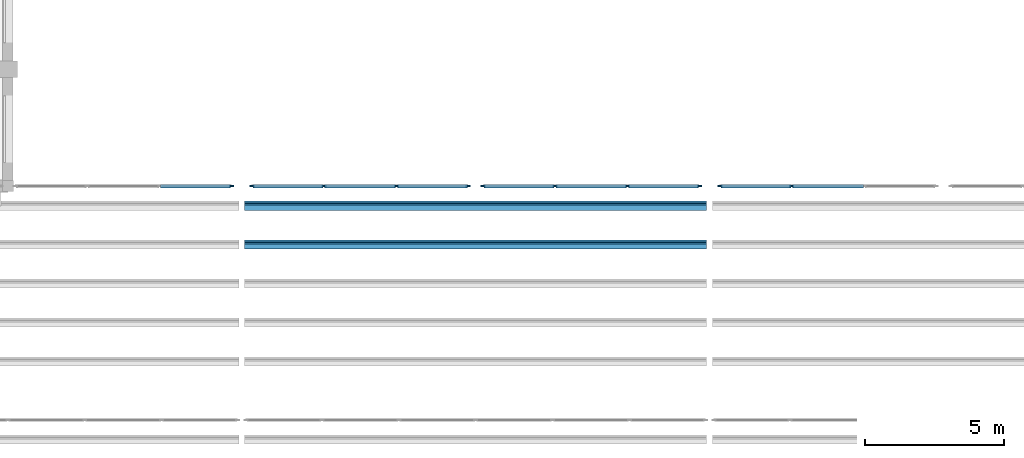
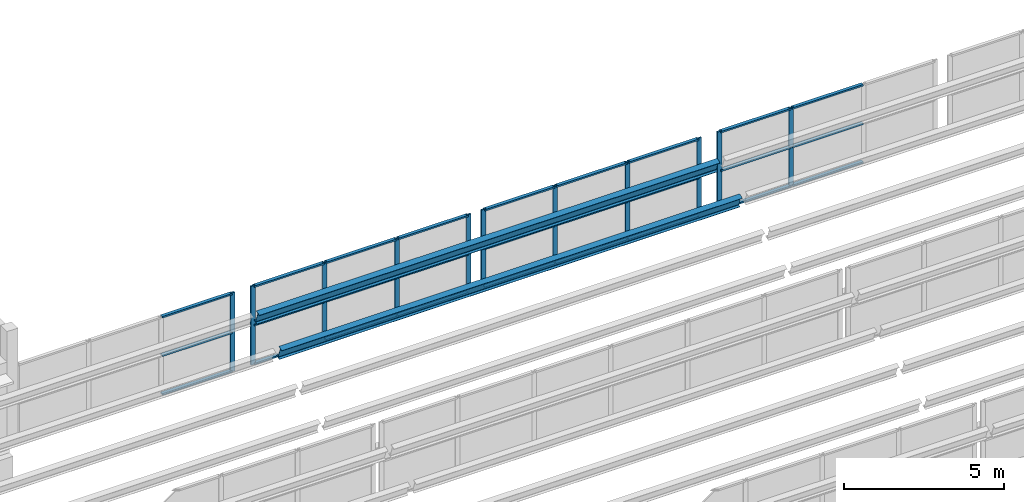
# One storey, part 16 of 116: 40 members, 4 elements without a shape of their own.
"""IFC4 building model written with IfcOpenShell, lengths in metres."""

from ifc_helpers import new_model, si_unit, direction, frame, origin, origin_2d, place, context, subcontext, project, spatial, rectangle, i_section, extrude, material, material_profile, profile_set, type_object, element, aggregate, save


model = new_model("IFC4")

# Units and contexts
model_context = context("Model", 3, precision=1e-05, world=origin(), true_north=direction((0.0, 1.0)))
body_context = subcontext(model_context, "Body", "Model", "MODEL_VIEW")
ifc_project = project(units=[si_unit("LENGTHUNIT", "METRE"), si_unit("AREAUNIT", "SQUARE_METRE"), si_unit("VOLUMEUNIT", "CUBIC_METRE"), si_unit("PLANEANGLEUNIT", "RADIAN"), si_unit("MASSUNIT", "GRAM", prefix="KILO")], contexts=[model_context])

# Site, building, storey
site_placement = place(None, origin())
site = spatial("IfcSite", under=ifc_project, at=site_placement, CompositionType="ELEMENT")
building_placement = place(site_placement, origin())
building = spatial("IfcBuilding", under=site, at=building_placement, Name="Fescue Hill Polytechnic", CompositionType="ELEMENT")
storey_placement = place(building_placement, frame((0.0, 0.0, 13.5)))
storey = spatial("IfcBuildingStorey", under=building, at=storey_placement, Name="L03", CompositionType="ELEMENT", Elevation=13.5)

# Curtain wall, member
ifc_material_1 = material(Name="Aluminium and glass", Category="aluminium")
curtain_wall_type = type_object("IfcCurtainWallType", Name="Sawtooth north glazing curtain wall", PredefinedType="NOTDEFINED", material=ifc_material_1)
curtain_wall_1_placement = place(storey_placement, origin())
curtain_wall_1 = element("IfcCurtainWall", 1, at=curtain_wall_1_placement, inside=storey, type_object=curtain_wall_type, Name="Sawtooth 4 north glazing bay 2 part 2", PredefinedType="NOTDEFINED")
ifc_material_2 = material(Name="Aluminium", Category="aluminium")
ifc_material_profile_1 = material_profile(ifc_material_2, rectangle(XDim=0.06005859375, YDim=0.159912109375, at=origin_2d()), Name="Curtain wall mullion 60x160")
ifc_profile_set_1 = profile_set([ifc_material_profile_1], Name="Aluminium")
member_type_1 = type_object("IfcMemberType", Name="Curtain wall mullion 60x160", PredefinedType="MULLION", material=ifc_profile_set_1)
member_1_placement = place(storey_placement, frame((33.22998046875, 50.39990234375, 0.0), z_axis=(0.0, 0.0, 1.0), x_axis=(0.0, 1.0, 0.0)))
member_1 = element("IfcMember", 2, at=member_1_placement, type_object=member_type_1, Name="CW25 mullion 4", PredefinedType="MULLION", context=body_context, shape_type="SweptSolid", body=[
    extrude(rectangle(XDim=0.06005859375, YDim=0.159912109375, at=origin_2d()), origin(), (0.0, 0.0, 1.0), 3.0),
])

# Curtain wall, members
curtain_wall_2_placement = place(storey_placement, origin())
curtain_wall_2 = element("IfcCurtainWall", 3, at=curtain_wall_2_placement, inside=storey, type_object=curtain_wall_type, Name="Sawtooth 4 north glazing bay 3 part 1", PredefinedType="NOTDEFINED")
member_2_placement = place(storey_placement, frame((33.969970703125, 50.39990234375, 0.0), z_axis=(0.0, 0.0, 1.0), x_axis=(0.0, 1.0, 0.0)))
member_2 = element("IfcMember", 4, at=member_2_placement, type_object=member_type_1, Name="CW26 mullion 1", PredefinedType="MULLION", context=body_context, shape_type="SweptSolid", body=[
    extrude(rectangle(XDim=0.06005859375, YDim=0.159912109375, at=origin_2d()), origin(), (0.0, 0.0, 1.0), 3.0),
])
member_3_placement = place(storey_placement, frame((36.546630859375, 50.39990234375, 0.0), z_axis=(0.0, 0.0, 1.0), x_axis=(0.0, 1.0, 0.0)))
member_3 = element("IfcMember", 5, at=member_3_placement, type_object=member_type_1, Name="CW26 mullion 2", PredefinedType="MULLION", context=body_context, shape_type="SweptSolid", body=[
    extrude(rectangle(XDim=0.06005859375, YDim=0.159912109375, at=origin_2d()), origin(), (0.0, 0.0, 1.0), 3.0),
])
member_4_placement = place(storey_placement, frame((39.1533203125, 50.39990234375, 0.0), z_axis=(0.0, 0.0, 1.0), x_axis=(0.0, 1.0, 0.0)))
member_4 = element("IfcMember", 6, at=member_4_placement, type_object=member_type_1, Name="CW26 mullion 3", PredefinedType="MULLION", context=body_context, shape_type="SweptSolid", body=[
    extrude(rectangle(XDim=0.06005859375, YDim=0.159912109375, at=origin_2d()), origin(), (0.0, 0.0, 1.0), 3.0),
])
member_5_placement = place(storey_placement, frame((41.72998046875, 50.39990234375, 0.0), z_axis=(0.0, 0.0, 1.0), x_axis=(0.0, 1.0, 0.0)))
member_5 = element("IfcMember", 7, at=member_5_placement, type_object=member_type_1, Name="CW26 mullion 4", PredefinedType="MULLION", context=body_context, shape_type="SweptSolid", body=[
    extrude(rectangle(XDim=0.06005859375, YDim=0.159912109375, at=origin_2d()), origin(), (0.0, 0.0, 1.0), 3.0),
])

curtain_wall_3_placement = place(storey_placement, origin())
curtain_wall_3 = element("IfcCurtainWall", 8, at=curtain_wall_3_placement, inside=storey, type_object=curtain_wall_type, Name="Sawtooth 4 north glazing bay 3 part 2", PredefinedType="NOTDEFINED")
member_6_placement = place(storey_placement, frame((42.27001953125, 50.39990234375, 0.0), z_axis=(0.0, 0.0, 1.0), x_axis=(0.0, 1.0, 0.0)))
member_6 = element("IfcMember", 9, at=member_6_placement, type_object=member_type_1, Name="CW27 mullion 1", PredefinedType="MULLION", context=body_context, shape_type="SweptSolid", body=[
    extrude(rectangle(XDim=0.06005859375, YDim=0.159912109375, at=origin_2d()), origin(), (0.0, 0.0, 1.0), 3.0),
])
member_7_placement = place(storey_placement, frame((44.8466796875, 50.39990234375, 0.0), z_axis=(0.0, 0.0, 1.0), x_axis=(0.0, 1.0, 0.0)))
member_7 = element("IfcMember", 10, at=member_7_placement, type_object=member_type_1, Name="CW27 mullion 2", PredefinedType="MULLION", context=body_context, shape_type="SweptSolid", body=[
    extrude(rectangle(XDim=0.06005859375, YDim=0.159912109375, at=origin_2d()), origin(), (0.0, 0.0, 1.0), 3.0),
])
member_8_placement = place(storey_placement, frame((47.453369140625, 50.39990234375, 0.0), z_axis=(0.0, 0.0, 1.0), x_axis=(0.0, 1.0, 0.0)))
member_8 = element("IfcMember", 11, at=member_8_placement, type_object=member_type_1, Name="CW27 mullion 3", PredefinedType="MULLION", context=body_context, shape_type="SweptSolid", body=[
    extrude(rectangle(XDim=0.06005859375, YDim=0.159912109375, at=origin_2d()), origin(), (0.0, 0.0, 1.0), 3.0),
])
member_9_placement = place(storey_placement, frame((50.030029296875, 50.39990234375, 0.0), z_axis=(0.0, 0.0, 1.0), x_axis=(0.0, 1.0, 0.0)))
member_9 = element("IfcMember", 12, at=member_9_placement, type_object=member_type_1, Name="CW27 mullion 4", PredefinedType="MULLION", context=body_context, shape_type="SweptSolid", body=[
    extrude(rectangle(XDim=0.06005859375, YDim=0.159912109375, at=origin_2d()), origin(), (0.0, 0.0, 1.0), 3.0),
])

curtain_wall_4_placement = place(storey_placement, origin())
curtain_wall_4 = element("IfcCurtainWall", 13, at=curtain_wall_4_placement, inside=storey, type_object=curtain_wall_type, Name="Sawtooth 4 north glazing bay 4 part 1", PredefinedType="NOTDEFINED")
member_10_placement = place(storey_placement, frame((50.77001953125, 50.39990234375, 0.0), z_axis=(0.0, 0.0, 1.0), x_axis=(0.0, 1.0, 0.0)))
member_10 = element("IfcMember", 14, at=member_10_placement, type_object=member_type_1, Name="CW28 mullion 1", PredefinedType="MULLION", context=body_context, shape_type="SweptSolid", body=[
    extrude(rectangle(XDim=0.06005859375, YDim=0.159912109375, at=origin_2d()), origin(), (0.0, 0.0, 1.0), 3.0),
])
member_11_placement = place(storey_placement, frame((53.3466796875, 50.39990234375, 0.0), z_axis=(0.0, 0.0, 1.0), x_axis=(0.0, 1.0, 0.0)))
member_11 = element("IfcMember", 15, at=member_11_placement, type_object=member_type_1, Name="CW28 mullion 2", PredefinedType="MULLION", context=body_context, shape_type="SweptSolid", body=[
    extrude(rectangle(XDim=0.06005859375, YDim=0.159912109375, at=origin_2d()), origin(), (0.0, 0.0, 1.0), 3.0),
])

# Member
ifc_material_profile_2 = material_profile(ifc_material_2, rectangle(XDim=0.1201171875, YDim=0.06005859375, at=origin_2d()), Name="Curtain wall transom 60x120")
ifc_profile_set_2 = profile_set([ifc_material_profile_2], Name="Aluminium")
member_type_2 = type_object("IfcMemberType", Name="Curtain wall transom 60x120", PredefinedType="USERDEFINED", material=ifc_profile_set_2)
member_12_placement = place(storey_placement, frame((30.683349609375, 50.39990234375, 0.030029296875), z_axis=(1.0, 0.0, 0.0), x_axis=(0.0, 1.0, 0.0)))
member_12 = element("IfcMember", 16, at=member_12_placement, type_object=member_type_2, Name="CW25 transom 3.1", ObjectType="TRANSOM", PredefinedType="USERDEFINED", context=body_context, shape_type="SweptSolid", body=[
    extrude(rectangle(XDim=0.1201171875, YDim=0.06005859375, at=origin_2d()), origin(), (0.0, 0.0, 1.0), 2.5166015625),
])

member_13_placement = place(storey_placement, frame((30.683349609375, 50.39990234375, 1.5), z_axis=(1.0, 0.0, 0.0), x_axis=(0.0, 1.0, 0.0)))
member_13 = element("IfcMember", 17, at=member_13_placement, type_object=member_type_2, Name="CW25 transom 3.2", ObjectType="TRANSOM", PredefinedType="USERDEFINED", context=body_context, shape_type="SweptSolid", body=[
    extrude(rectangle(XDim=0.1201171875, YDim=0.06005859375, at=origin_2d()), origin(), (0.0, 0.0, 1.0), 2.5166015625),
])

member_14_placement = place(storey_placement, frame((30.683349609375, 50.39990234375, 2.969970703125), z_axis=(1.0, 0.0, 0.0), x_axis=(0.0, 1.0, 0.0)))
member_14 = element("IfcMember", 18, at=member_14_placement, type_object=member_type_2, Name="CW25 transom 3.3", ObjectType="TRANSOM", PredefinedType="USERDEFINED", context=body_context, shape_type="SweptSolid", body=[
    extrude(rectangle(XDim=0.1201171875, YDim=0.06005859375, at=origin_2d()), origin(), (0.0, 0.0, 1.0), 2.5166015625),
])

aggregate(curtain_wall_1, [member_1, member_12, member_13, member_14])

member_15_placement = place(storey_placement, frame((34.0, 50.39990234375, 0.030029296875), z_axis=(1.0, 0.0, 0.0), x_axis=(0.0, 1.0, 0.0)))
member_15 = element("IfcMember", 19, at=member_15_placement, type_object=member_type_2, Name="CW26 transom 1.1", ObjectType="TRANSOM", PredefinedType="USERDEFINED", context=body_context, shape_type="SweptSolid", body=[
    extrude(rectangle(XDim=0.1201171875, YDim=0.06005859375, at=origin_2d()), origin(), (0.0, 0.0, 1.0), 2.5166015625),
])

member_16_placement = place(storey_placement, frame((34.0, 50.39990234375, 1.5), z_axis=(1.0, 0.0, 0.0), x_axis=(0.0, 1.0, 0.0)))
member_16 = element("IfcMember", 20, at=member_16_placement, type_object=member_type_2, Name="CW26 transom 1.2", ObjectType="TRANSOM", PredefinedType="USERDEFINED", context=body_context, shape_type="SweptSolid", body=[
    extrude(rectangle(XDim=0.1201171875, YDim=0.06005859375, at=origin_2d()), origin(), (0.0, 0.0, 1.0), 2.5166015625),
])

member_17_placement = place(storey_placement, frame((34.0, 50.39990234375, 2.969970703125), z_axis=(1.0, 0.0, 0.0), x_axis=(0.0, 1.0, 0.0)))
member_17 = element("IfcMember", 21, at=member_17_placement, type_object=member_type_2, Name="CW26 transom 1.3", ObjectType="TRANSOM", PredefinedType="USERDEFINED", context=body_context, shape_type="SweptSolid", body=[
    extrude(rectangle(XDim=0.1201171875, YDim=0.06005859375, at=origin_2d()), origin(), (0.0, 0.0, 1.0), 2.5166015625),
])

member_18_placement = place(storey_placement, frame((36.57666015625, 50.39990234375, 0.030029296875), z_axis=(1.0, 0.0, 0.0), x_axis=(0.0, 1.0, 0.0)))
member_18 = element("IfcMember", 22, at=member_18_placement, type_object=member_type_2, Name="CW26 transom 2.1", ObjectType="TRANSOM", PredefinedType="USERDEFINED", context=body_context, shape_type="SweptSolid", body=[
    extrude(rectangle(XDim=0.1201171875, YDim=0.06005859375, at=origin_2d()), origin(), (0.0, 0.0, 1.0), 2.546630859375),
])

member_19_placement = place(storey_placement, frame((36.57666015625, 50.39990234375, 1.5), z_axis=(1.0, 0.0, 0.0), x_axis=(0.0, 1.0, 0.0)))
member_19 = element("IfcMember", 23, at=member_19_placement, type_object=member_type_2, Name="CW26 transom 2.2", ObjectType="TRANSOM", PredefinedType="USERDEFINED", context=body_context, shape_type="SweptSolid", body=[
    extrude(rectangle(XDim=0.1201171875, YDim=0.06005859375, at=origin_2d()), origin(), (0.0, 0.0, 1.0), 2.546630859375),
])

member_20_placement = place(storey_placement, frame((36.57666015625, 50.39990234375, 2.969970703125), z_axis=(1.0, 0.0, 0.0), x_axis=(0.0, 1.0, 0.0)))
member_20 = element("IfcMember", 24, at=member_20_placement, type_object=member_type_2, Name="CW26 transom 2.3", ObjectType="TRANSOM", PredefinedType="USERDEFINED", context=body_context, shape_type="SweptSolid", body=[
    extrude(rectangle(XDim=0.1201171875, YDim=0.06005859375, at=origin_2d()), origin(), (0.0, 0.0, 1.0), 2.546630859375),
])

member_21_placement = place(storey_placement, frame((39.183349609375, 50.39990234375, 0.030029296875), z_axis=(1.0, 0.0, 0.0), x_axis=(0.0, 1.0, 0.0)))
member_21 = element("IfcMember", 25, at=member_21_placement, type_object=member_type_2, Name="CW26 transom 3.1", ObjectType="TRANSOM", PredefinedType="USERDEFINED", context=body_context, shape_type="SweptSolid", body=[
    extrude(rectangle(XDim=0.1201171875, YDim=0.06005859375, at=origin_2d()), origin(), (0.0, 0.0, 1.0), 2.5166015625),
])

member_22_placement = place(storey_placement, frame((39.183349609375, 50.39990234375, 1.5), z_axis=(1.0, 0.0, 0.0), x_axis=(0.0, 1.0, 0.0)))
member_22 = element("IfcMember", 26, at=member_22_placement, type_object=member_type_2, Name="CW26 transom 3.2", ObjectType="TRANSOM", PredefinedType="USERDEFINED", context=body_context, shape_type="SweptSolid", body=[
    extrude(rectangle(XDim=0.1201171875, YDim=0.06005859375, at=origin_2d()), origin(), (0.0, 0.0, 1.0), 2.5166015625),
])

member_23_placement = place(storey_placement, frame((39.183349609375, 50.39990234375, 2.969970703125), z_axis=(1.0, 0.0, 0.0), x_axis=(0.0, 1.0, 0.0)))
member_23 = element("IfcMember", 27, at=member_23_placement, type_object=member_type_2, Name="CW26 transom 3.3", ObjectType="TRANSOM", PredefinedType="USERDEFINED", context=body_context, shape_type="SweptSolid", body=[
    extrude(rectangle(XDim=0.1201171875, YDim=0.06005859375, at=origin_2d()), origin(), (0.0, 0.0, 1.0), 2.5166015625),
])

aggregate(curtain_wall_2, [member_2, member_3, member_4, member_5, member_15, member_16, member_17, member_18, member_19, member_20, member_21, member_22, member_23])

member_24_placement = place(storey_placement, frame((42.300048828125, 50.39990234375, 0.030029296875), z_axis=(1.0, 0.0, 0.0), x_axis=(0.0, 1.0, 0.0)))
member_24 = element("IfcMember", 28, at=member_24_placement, type_object=member_type_2, Name="CW27 transom 1.1", ObjectType="TRANSOM", PredefinedType="USERDEFINED", context=body_context, shape_type="SweptSolid", body=[
    extrude(rectangle(XDim=0.1201171875, YDim=0.06005859375, at=origin_2d()), origin(), (0.0, 0.0, 1.0), 2.5166015625),
])

member_25_placement = place(storey_placement, frame((42.300048828125, 50.39990234375, 1.5), z_axis=(1.0, 0.0, 0.0), x_axis=(0.0, 1.0, 0.0)))
member_25 = element("IfcMember", 29, at=member_25_placement, type_object=member_type_2, Name="CW27 transom 1.2", ObjectType="TRANSOM", PredefinedType="USERDEFINED", context=body_context, shape_type="SweptSolid", body=[
    extrude(rectangle(XDim=0.1201171875, YDim=0.06005859375, at=origin_2d()), origin(), (0.0, 0.0, 1.0), 2.5166015625),
])

member_26_placement = place(storey_placement, frame((42.300048828125, 50.39990234375, 2.969970703125), z_axis=(1.0, 0.0, 0.0), x_axis=(0.0, 1.0, 0.0)))
member_26 = element("IfcMember", 30, at=member_26_placement, type_object=member_type_2, Name="CW27 transom 1.3", ObjectType="TRANSOM", PredefinedType="USERDEFINED", context=body_context, shape_type="SweptSolid", body=[
    extrude(rectangle(XDim=0.1201171875, YDim=0.06005859375, at=origin_2d()), origin(), (0.0, 0.0, 1.0), 2.5166015625),
])

member_27_placement = place(storey_placement, frame((44.876708984375, 50.39990234375, 0.030029296875), z_axis=(1.0, 0.0, 0.0), x_axis=(0.0, 1.0, 0.0)))
member_27 = element("IfcMember", 31, at=member_27_placement, type_object=member_type_2, Name="CW27 transom 2.1", ObjectType="TRANSOM", PredefinedType="USERDEFINED", context=body_context, shape_type="SweptSolid", body=[
    extrude(rectangle(XDim=0.1201171875, YDim=0.06005859375, at=origin_2d()), origin(), (0.0, 0.0, 1.0), 2.546630859375),
])

member_28_placement = place(storey_placement, frame((44.876708984375, 50.39990234375, 1.5), z_axis=(1.0, 0.0, 0.0), x_axis=(0.0, 1.0, 0.0)))
member_28 = element("IfcMember", 32, at=member_28_placement, type_object=member_type_2, Name="CW27 transom 2.2", ObjectType="TRANSOM", PredefinedType="USERDEFINED", context=body_context, shape_type="SweptSolid", body=[
    extrude(rectangle(XDim=0.1201171875, YDim=0.06005859375, at=origin_2d()), origin(), (0.0, 0.0, 1.0), 2.546630859375),
])

member_29_placement = place(storey_placement, frame((44.876708984375, 50.39990234375, 2.969970703125), z_axis=(1.0, 0.0, 0.0), x_axis=(0.0, 1.0, 0.0)))
member_29 = element("IfcMember", 33, at=member_29_placement, type_object=member_type_2, Name="CW27 transom 2.3", ObjectType="TRANSOM", PredefinedType="USERDEFINED", context=body_context, shape_type="SweptSolid", body=[
    extrude(rectangle(XDim=0.1201171875, YDim=0.06005859375, at=origin_2d()), origin(), (0.0, 0.0, 1.0), 2.546630859375),
])

member_30_placement = place(storey_placement, frame((47.4833984375, 50.39990234375, 0.030029296875), z_axis=(1.0, 0.0, 0.0), x_axis=(0.0, 1.0, 0.0)))
member_30 = element("IfcMember", 34, at=member_30_placement, type_object=member_type_2, Name="CW27 transom 3.1", ObjectType="TRANSOM", PredefinedType="USERDEFINED", context=body_context, shape_type="SweptSolid", body=[
    extrude(rectangle(XDim=0.1201171875, YDim=0.06005859375, at=origin_2d()), origin(), (0.0, 0.0, 1.0), 2.5166015625),
])

member_31_placement = place(storey_placement, frame((47.4833984375, 50.39990234375, 1.5), z_axis=(1.0, 0.0, 0.0), x_axis=(0.0, 1.0, 0.0)))
member_31 = element("IfcMember", 35, at=member_31_placement, type_object=member_type_2, Name="CW27 transom 3.2", ObjectType="TRANSOM", PredefinedType="USERDEFINED", context=body_context, shape_type="SweptSolid", body=[
    extrude(rectangle(XDim=0.1201171875, YDim=0.06005859375, at=origin_2d()), origin(), (0.0, 0.0, 1.0), 2.5166015625),
])

member_32_placement = place(storey_placement, frame((47.4833984375, 50.39990234375, 2.969970703125), z_axis=(1.0, 0.0, 0.0), x_axis=(0.0, 1.0, 0.0)))
member_32 = element("IfcMember", 36, at=member_32_placement, type_object=member_type_2, Name="CW27 transom 3.3", ObjectType="TRANSOM", PredefinedType="USERDEFINED", context=body_context, shape_type="SweptSolid", body=[
    extrude(rectangle(XDim=0.1201171875, YDim=0.06005859375, at=origin_2d()), origin(), (0.0, 0.0, 1.0), 2.5166015625),
])

aggregate(curtain_wall_3, [member_6, member_7, member_8, member_9, member_24, member_25, member_26, member_27, member_28, member_29, member_30, member_31, member_32])

member_33_placement = place(storey_placement, frame((50.800048828125, 50.39990234375, 0.030029296875), z_axis=(1.0, 0.0, 0.0), x_axis=(0.0, 1.0, 0.0)))
member_33 = element("IfcMember", 37, at=member_33_placement, type_object=member_type_2, Name="CW28 transom 1.1", ObjectType="TRANSOM", PredefinedType="USERDEFINED", context=body_context, shape_type="SweptSolid", body=[
    extrude(rectangle(XDim=0.1201171875, YDim=0.06005859375, at=origin_2d()), origin(), (0.0, 0.0, 1.0), 2.5166015625),
])

member_34_placement = place(storey_placement, frame((50.800048828125, 50.39990234375, 1.5), z_axis=(1.0, 0.0, 0.0), x_axis=(0.0, 1.0, 0.0)))
member_34 = element("IfcMember", 38, at=member_34_placement, type_object=member_type_2, Name="CW28 transom 1.2", ObjectType="TRANSOM", PredefinedType="USERDEFINED", context=body_context, shape_type="SweptSolid", body=[
    extrude(rectangle(XDim=0.1201171875, YDim=0.06005859375, at=origin_2d()), origin(), (0.0, 0.0, 1.0), 2.5166015625),
])

member_35_placement = place(storey_placement, frame((50.800048828125, 50.39990234375, 2.969970703125), z_axis=(1.0, 0.0, 0.0), x_axis=(0.0, 1.0, 0.0)))
member_35 = element("IfcMember", 39, at=member_35_placement, type_object=member_type_2, Name="CW28 transom 1.3", ObjectType="TRANSOM", PredefinedType="USERDEFINED", context=body_context, shape_type="SweptSolid", body=[
    extrude(rectangle(XDim=0.1201171875, YDim=0.06005859375, at=origin_2d()), origin(), (0.0, 0.0, 1.0), 2.5166015625),
])

member_36_placement = place(storey_placement, frame((53.376708984375, 50.39990234375, 0.030029296875), z_axis=(1.0, 0.0, 0.0), x_axis=(0.0, 1.0, 0.0)))
member_36 = element("IfcMember", 40, at=member_36_placement, type_object=member_type_2, Name="CW28 transom 2.1", ObjectType="TRANSOM", PredefinedType="USERDEFINED", context=body_context, shape_type="SweptSolid", body=[
    extrude(rectangle(XDim=0.1201171875, YDim=0.06005859375, at=origin_2d()), origin(), (0.0, 0.0, 1.0), 2.546630859375),
])

member_37_placement = place(storey_placement, frame((53.376708984375, 50.39990234375, 1.5), z_axis=(1.0, 0.0, 0.0), x_axis=(0.0, 1.0, 0.0)))
member_37 = element("IfcMember", 41, at=member_37_placement, type_object=member_type_2, Name="CW28 transom 2.2", ObjectType="TRANSOM", PredefinedType="USERDEFINED", context=body_context, shape_type="SweptSolid", body=[
    extrude(rectangle(XDim=0.1201171875, YDim=0.06005859375, at=origin_2d()), origin(), (0.0, 0.0, 1.0), 2.546630859375),
])

member_38_placement = place(storey_placement, frame((53.376708984375, 50.39990234375, 2.969970703125), z_axis=(1.0, 0.0, 0.0), x_axis=(0.0, 1.0, 0.0)))
member_38 = element("IfcMember", 42, at=member_38_placement, type_object=member_type_2, Name="CW28 transom 2.3", ObjectType="TRANSOM", PredefinedType="USERDEFINED", context=body_context, shape_type="SweptSolid", body=[
    extrude(rectangle(XDim=0.1201171875, YDim=0.06005859375, at=origin_2d()), origin(), (0.0, 0.0, 1.0), 2.546630859375),
])

aggregate(curtain_wall_4, [member_10, member_11, member_33, member_34, member_35, member_36, member_37, member_38])

# Members
ifc_material_3 = material(Name="Steel 350W (350 MPa)", Category="steel")
ifc_material_profile_3 = material_profile(ifc_material_3, i_section(OverallWidth=0.18994140625, OverallDepth=0.45703125, WebThickness=0.009033203125, FlangeThickness=0.014404296875, FilletRadius=0.0166015625, at=origin_2d()), Name="W460x74")
ifc_profile_set_3 = profile_set([ifc_material_profile_3], Name="Steel 350W (350 MPa)")
member_type_3 = type_object("IfcMemberType", Name="Tooth purlin W460x74", PredefinedType="PURLIN", material=ifc_profile_set_3)
member_39_placement = place(storey_placement, frame((33.70458984375, 48.300048828125, 1.794921875), z_axis=(1.0, 0.0, 0.0), x_axis=(0.0, 0.941741911595, 0.336336396997)))
element("IfcMember", 43, at=member_39_placement, inside=storey, type_object=member_type_3, Name="Tooth 4 purlin 5 bay 3", PredefinedType="PURLIN", context=body_context, shape_type="SweptSolid", body=[
    extrude(i_section(OverallWidth=0.18994140625, OverallDepth=0.45703125, WebThickness=0.009033203125, FlangeThickness=0.014404296875, FilletRadius=0.0166015625, at=origin_2d()), origin(), (0.0, 0.0, 1.0), 16.5908203125),
])
ifc_material_profile_4 = material_profile(ifc_material_3, i_section(OverallWidth=0.193115234375, OverallDepth=0.466064453125, WebThickness=0.011474609375, FlangeThickness=0.01904296875, FilletRadius=0.01708984375, at=origin_2d()), Name="W460x97")
ifc_profile_set_4 = profile_set([ifc_material_profile_4], Name="Steel 350W (350 MPa)")
member_type_4 = type_object("IfcMemberType", Name="Tooth ridge purlin W460x97", PredefinedType="PURLIN", material=ifc_profile_set_4)
member_40_placement = place(storey_placement, frame((33.70458984375, 49.699951171875, 2.290283203125), z_axis=(1.0, 0.0, 0.0), x_axis=(0.0, 0.941741911595, 0.336336396997)))
element("IfcMember", 44, at=member_40_placement, inside=storey, type_object=member_type_4, Name="Tooth 4 ridge purlin bay 3", PredefinedType="PURLIN", context=body_context, shape_type="SweptSolid", body=[
    extrude(i_section(OverallWidth=0.193115234375, OverallDepth=0.466064453125, WebThickness=0.011474609375, FlangeThickness=0.01904296875, FilletRadius=0.01708984375, at=origin_2d()), origin(), (0.0, 0.0, 1.0), 16.5908203125),
])

save(model, "model.ifc")
